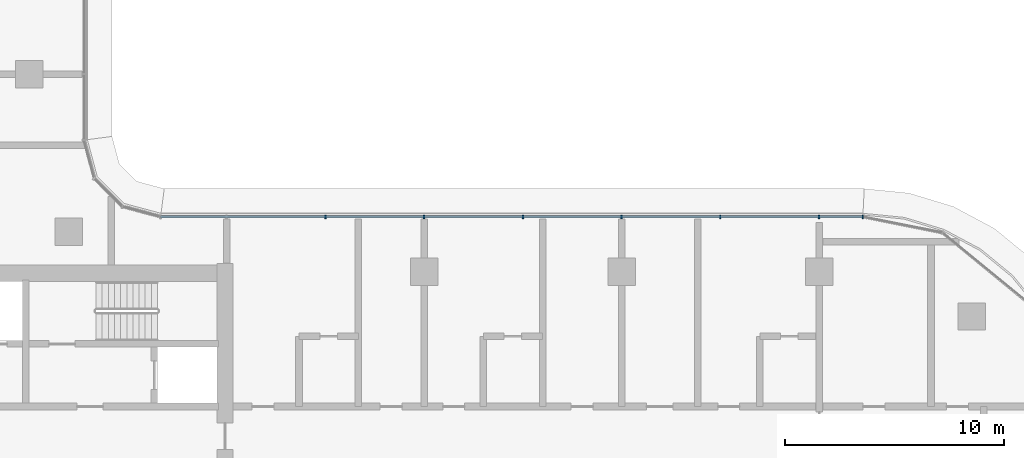
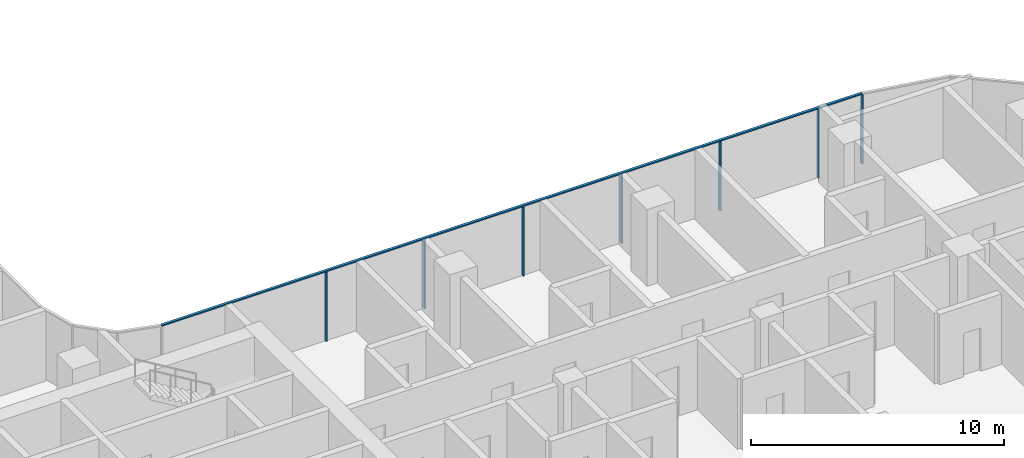
# One storey, part 4 of 25: 8 members, 1 element without a shape of its own.
"""IFC4 building model written with IfcOpenShell, lengths in metres."""

from ifc_helpers import new_model, si_unit, direction, frame, origin, origin_2d, place, context, subcontext, project, spatial, rectangle, extrude, material, material_profile, profile_set, type_object, element, aggregate, save


model = new_model("IFC4")

# Units and contexts
model_context = context("Model", 3, precision=1e-05, world=origin(), true_north=direction((0.0, 1.0)))
body_context = subcontext(model_context, "Body", "Model", "MODEL_VIEW")
ifc_project = project(units=[si_unit("LENGTHUNIT", "METRE"), si_unit("AREAUNIT", "SQUARE_METRE"), si_unit("VOLUMEUNIT", "CUBIC_METRE"), si_unit("PLANEANGLEUNIT", "RADIAN"), si_unit("MASSUNIT", "GRAM", prefix="KILO")], contexts=[model_context])

# Site, building, storey
site_placement = place(None, origin())
site = spatial("IfcSite", under=ifc_project, at=site_placement, CompositionType="ELEMENT")
building_placement = place(site_placement, origin())
building = spatial("IfcBuilding", under=site, at=building_placement, Name="Ogive Portal Towers", CompositionType="ELEMENT")
storey_placement = place(building_placement, frame((0.0, 0.0, 116.699951171875)))
storey = spatial("IfcBuildingStorey", under=building, at=storey_placement, Name="L28", CompositionType="ELEMENT", Elevation=116.699951171875)

# Curtain wall, members
ifc_material_1 = material(Name="Glass, clear low-iron insulated glazing", Category="glass")
curtain_wall_type = type_object("IfcCurtainWallType", Name="CW FRONT RIBBON 4500", PredefinedType="NOTDEFINED", material=ifc_material_1)
curtain_wall_placement = place(storey_placement, origin())
curtain_wall = element("IfcCurtainWall", 1, at=curtain_wall_placement, inside=storey, type_object=curtain_wall_type, Name="A:L28:f16:cw0", PredefinedType="NOTDEFINED")
ifc_material_2 = material(Name="Aluminium 6063 anodised", Category="aluminium")
ifc_material_profile_1 = material_profile(ifc_material_2, rectangle(XDim=0.159912109375, YDim=0.06005859375, at=origin_2d()), Name="AL 60x160")
ifc_profile_set_1 = profile_set([ifc_material_profile_1], Name="Aluminium 6063 anodised")
member_type_1 = type_object("IfcMemberType", Name="CW MULLION 60x160", PredefinedType="MULLION", material=ifc_profile_set_1)
member_1_placement = place(storey_placement, frame((87.4921875, 41.9951171875, 0.0), z_axis=(0.0, 0.0, 1.0), x_axis=(0.0, -1.0, 0.0)))
member_1 = element("IfcMember", 2, at=member_1_placement, type_object=member_type_1, Name="mullion", PredefinedType="MULLION", context=body_context, shape_type="SweptSolid", body=[
    extrude(rectangle(XDim=0.159912109375, YDim=0.06005859375, at=origin_2d()), origin(), (0.0, 0.0, 1.0), 3.340087890625),
])
member_2_placement = place(storey_placement, frame((85.5, 41.9951171875, 0.0), z_axis=(0.0, 0.0, 1.0), x_axis=(0.0, -1.0, 0.0)))
member_2 = element("IfcMember", 3, at=member_2_placement, type_object=member_type_1, Name="mullion", PredefinedType="MULLION", context=body_context, shape_type="SweptSolid", body=[
    extrude(rectangle(XDim=0.159912109375, YDim=0.06005859375, at=origin_2d()), origin(), (0.0, 0.0, 1.0), 3.340087890625),
])
member_3_placement = place(storey_placement, frame((81.0, 41.9951171875, 0.0), z_axis=(0.0, 0.0, 1.0), x_axis=(0.0, -1.0, 0.0)))
member_3 = element("IfcMember", 4, at=member_3_placement, type_object=member_type_1, Name="mullion", PredefinedType="MULLION", context=body_context, shape_type="SweptSolid", body=[
    extrude(rectangle(XDim=0.159912109375, YDim=0.06005859375, at=origin_2d()), origin(), (0.0, 0.0, 1.0), 3.340087890625),
])
member_4_placement = place(storey_placement, frame((76.5, 41.9951171875, 0.0), z_axis=(0.0, 0.0, 1.0), x_axis=(0.0, -1.0, 0.0)))
member_4 = element("IfcMember", 5, at=member_4_placement, type_object=member_type_1, Name="mullion", PredefinedType="MULLION", context=body_context, shape_type="SweptSolid", body=[
    extrude(rectangle(XDim=0.159912109375, YDim=0.06005859375, at=origin_2d()), origin(), (0.0, 0.0, 1.0), 3.340087890625),
])
member_5_placement = place(storey_placement, frame((72.0, 41.9951171875, 0.0), z_axis=(0.0, 0.0, 1.0), x_axis=(0.0, -1.0, 0.0)))
member_5 = element("IfcMember", 6, at=member_5_placement, type_object=member_type_1, Name="mullion", PredefinedType="MULLION", context=body_context, shape_type="SweptSolid", body=[
    extrude(rectangle(XDim=0.159912109375, YDim=0.06005859375, at=origin_2d()), origin(), (0.0, 0.0, 1.0), 3.340087890625),
])
member_6_placement = place(storey_placement, frame((67.5, 41.9951171875, 0.0), z_axis=(0.0, 0.0, 1.0), x_axis=(0.0, -1.0, 0.0)))
member_6 = element("IfcMember", 7, at=member_6_placement, type_object=member_type_1, Name="mullion", PredefinedType="MULLION", context=body_context, shape_type="SweptSolid", body=[
    extrude(rectangle(XDim=0.159912109375, YDim=0.06005859375, at=origin_2d()), origin(), (0.0, 0.0, 1.0), 3.340087890625),
])
member_7_placement = place(storey_placement, frame((63.0, 41.9951171875, 0.0), z_axis=(0.0, 0.0, 1.0), x_axis=(0.0, -1.0, 0.0)))
member_7 = element("IfcMember", 8, at=member_7_placement, type_object=member_type_1, Name="mullion", PredefinedType="MULLION", context=body_context, shape_type="SweptSolid", body=[
    extrude(rectangle(XDim=0.159912109375, YDim=0.06005859375, at=origin_2d()), origin(), (0.0, 0.0, 1.0), 3.340087890625),
])
ifc_material_profile_2 = material_profile(ifc_material_2, rectangle(XDim=0.1201171875, YDim=0.06005859375, at=origin_2d()), Name="AL 120x60")
ifc_profile_set_2 = profile_set([ifc_material_profile_2], Name="Aluminium 6063 anodised")
member_type_2 = type_object("IfcMemberType", Name="CW TRANSOM 60x120", PredefinedType="USERDEFINED", material=ifc_profile_set_2)
member_8_placement = place(storey_placement, frame((87.4921875, 41.9951171875, 3.3701171875), z_axis=(-1.0, 0.0, 0.0), x_axis=(0.0, -1.0, 0.0)))
member_8 = element("IfcMember", 9, at=member_8_placement, type_object=member_type_2, Name="transom", ObjectType="TRANSOM", PredefinedType="USERDEFINED", context=body_context, shape_type="SweptSolid", body=[
    extrude(rectangle(XDim=0.1201171875, YDim=0.06005859375, at=origin_2d()), origin(), (0.0, 0.0, 1.0), 32.002685546875),
])
aggregate(curtain_wall, [member_8, member_1, member_2, member_3, member_4, member_5, member_6, member_7])

save(model, "model.ifc")
